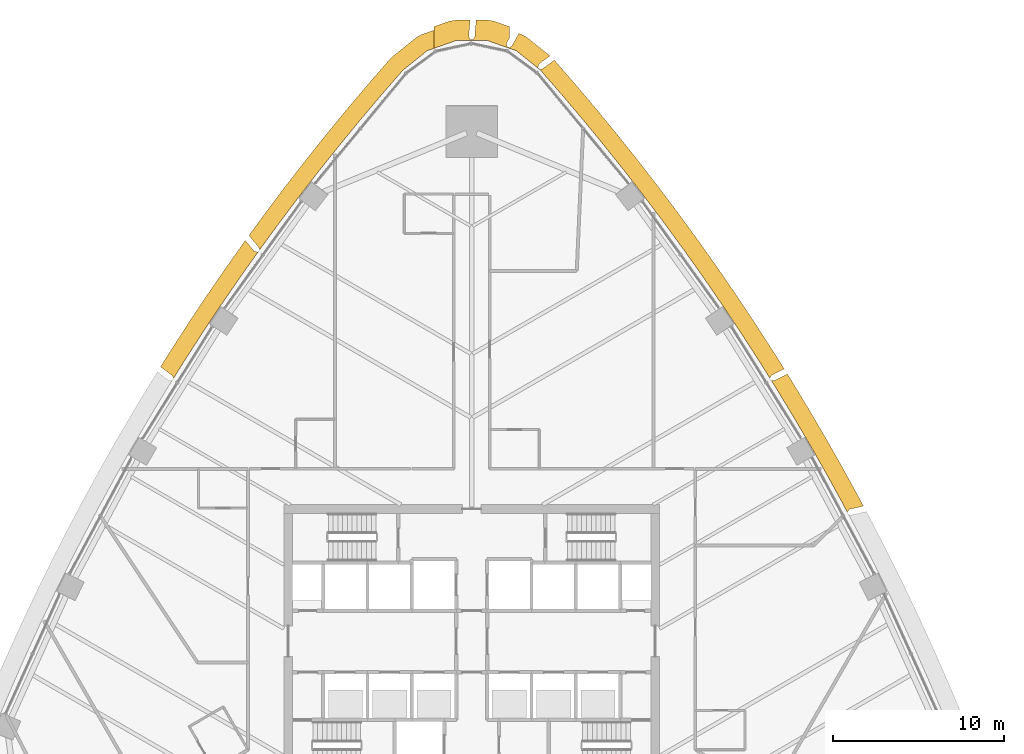
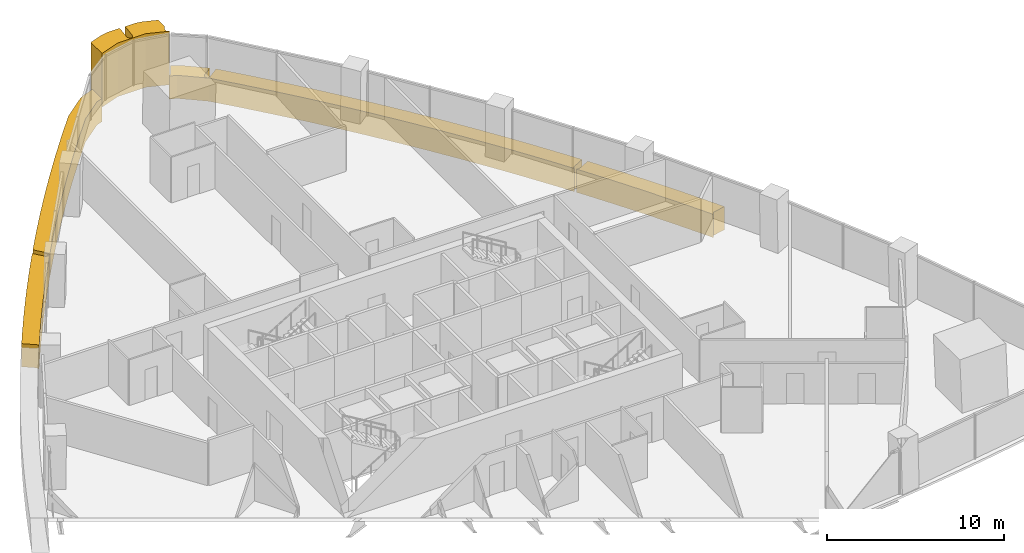
# One storey, part 16 of 17: 5 coverings.
"""IFC4 building model written with IfcOpenShell, lengths in metres."""

from ifc_helpers import new_model, si_unit, direction, frame, origin, place, context, subcontext, project, spatial, polyline, outline, extrude, material, layer, layer_set, type_object, element, save


model = new_model("IFC4")

# Units and contexts
model_context = context("Model", 3, precision=1e-05, world=origin(), true_north=direction((0.0, 1.0)))
body_context = subcontext(model_context, "Body", "Model", "MODEL_VIEW")
ifc_project = project(units=[si_unit("LENGTHUNIT", "METRE"), si_unit("AREAUNIT", "SQUARE_METRE"), si_unit("VOLUMEUNIT", "CUBIC_METRE"), si_unit("PLANEANGLEUNIT", "RADIAN"), si_unit("MASSUNIT", "GRAM", prefix="KILO")], contexts=[model_context])

# Site, building, storey
site_placement = place(None, origin())
site = spatial("IfcSite", under=ifc_project, at=site_placement, CompositionType="ELEMENT")
building_placement = place(site_placement, origin())
building = spatial("IfcBuilding", under=site, at=building_placement, Name="Sierra Prisma Convention Tower", CompositionType="ELEMENT")
storey_placement = place(building_placement, frame((0.0, 0.0, 92.39990234375)))
storey = spatial("IfcBuildingStorey", under=building, at=storey_placement, Name="L19", CompositionType="ELEMENT", Elevation=92.39990234375)

# Coverings
ifc_material_1 = material(Name="Aluminium composite bronze anodised", Category="aluminium")
ifc_layer_1 = layer(ifc_material_1, 1.199951171875)
ifc_layer_set_1 = layer_set([ifc_layer_1], Name="Bronze corner pier")
covering_type_1 = type_object("IfcCoveringType", Name="Bronze corner pier", PredefinedType="CLADDING", material=ifc_layer_set_1)
covering_1_placement = place(storey_placement, frame((0.0, 0.0, -0.599853515625)))
element("IfcCovering", 1, at=covering_1_placement, inside=storey, type_object=covering_type_1, Name="Corner pier N L19.1", PredefinedType="CLADDING", context=body_context, shape_type="SweptSolid", body=[
    extrude(outline(polyline([(2.041259765625, 35.028564453125), (2.040283203125, 35.02392578125), (2.0400390625, 35.019287109375), (2.0400390625, 35.0146484375), (2.040283203125, 35.010009765625), (2.062255859375, 34.852294921875), (2.06298828125, 34.847412109375), (2.064453125, 34.842529296875), (2.06640625, 34.837890625), (2.068603515625, 34.83349609375), (2.071533203125, 34.829345703125), (2.07470703125, 34.825439453125), (2.078125, 34.822021484375), (2.08203125, 34.81884765625), (2.086181640625, 34.816162109375), (2.090576171875, 34.813720703125), (2.09521484375, 34.811767578125), (2.189453125, 34.778564453125), (2.1943359375, 34.777099609375), (2.199462890625, 34.776123046875), (2.199951171875, 34.776123046875), (2.199951171875, 34.727294921875), (0.906494140625, 35.18359375), (-0.906494140625, 35.18359375), (-2.199951171875, 34.727294921875), (-2.199951171875, 36.0), (-1.3056640625, 36.3154296875), (-0.906494140625, 36.3837890625), (-0.090087890625, 36.3837890625), (-0.17431640625, 35.421142578125), (-0.174560546875, 35.416015625), (-0.17431640625, 35.4111328125), (-0.17333984375, 35.406005859375), (-0.172119140625, 35.401123046875), (-0.170166015625, 35.396484375), (-0.16796875, 35.39208984375), (-0.093505859375, 35.26123046875), (-0.0908203125, 35.257080078125), (-0.087890625, 35.25341796875), (-0.084716796875, 35.25), (-0.0810546875, 35.24658203125), (-0.0771484375, 35.243896484375), (-0.072998046875, 35.241455078125), (-0.068603515625, 35.239501953125), (-0.064208984375, 35.23779296875), (-0.0595703125, 35.23681640625), (-0.0546875, 35.236083984375), (-0.050048828125, 35.23583984375), (0.050048828125, 35.23583984375), (0.054931640625, 35.236083984375), (0.059814453125, 35.23681640625), (0.064453125, 35.238037109375), (0.06884765625, 35.239501953125), (0.0732421875, 35.24169921875), (0.077392578125, 35.244140625), (0.081298828125, 35.2470703125), (0.085205078125, 35.250244140625), (0.08837890625, 35.25390625), (0.09130859375, 35.2578125), (0.165771484375, 35.36669921875), (0.16845703125, 35.37109375), (0.170654296875, 35.375732421875), (0.17236328125, 35.380615234375), (0.173583984375, 35.385498046875), (0.17431640625, 35.390625), (0.26123046875, 36.3837890625), (0.906494140625, 36.3837890625), (1.3056640625, 36.3154296875), (2.199951171875, 36.0), (2.199951171875, 35.313720703125), (2.04638671875, 35.04150390625), (2.044189453125, 35.037353515625), (2.04248046875, 35.032958984375), (2.041259765625, 35.028564453125)])), origin(), (0.0, 0.0, 1.0), 3.699951171875),
])
ifc_material_2 = material(Name="Aluminium composite bronze anodised", Category="aluminium")
ifc_layer_2 = layer(ifc_material_2, 1.0)
ifc_layer_set_2 = layer_set([ifc_layer_2], Name="Bronze spandrel band")
covering_type_2 = type_object("IfcCoveringType", Name="Bronze spandrel band", PredefinedType="CLADDING", material=ifc_layer_set_2)
covering_2_placement = place(storey_placement, frame((0.0, 0.0, -1.599853515625)))
element("IfcCovering", 2, at=covering_2_placement, inside=storey, type_object=covering_type_2, Name="Spandrel band L19.4", PredefinedType="CLADDING", context=body_context, shape_type="SweptSolid", body=[
    extrude(outline(polyline([(-12.718994140625, 22.833251953125), (-12.71435546875, 22.83154296875), (-12.70947265625, 22.83056640625), (-12.544189453125, 22.80029296875), (-12.53955078125, 22.799560546875), (-12.534912109375, 22.79931640625), (-12.5302734375, 22.799560546875), (-12.525390625, 22.80029296875), (-12.52099609375, 22.801513671875), (-12.516357421875, 22.802978515625), (-12.51220703125, 22.804931640625), (-12.508056640625, 22.807373046875), (-12.504150390625, 22.810302734375), (-12.503173828125, 22.811279296875), (-13.6005859375, 21.26123046875), (-14.697998046875, 19.6640625), (-14.716552734375, 19.635986328125), (-14.718505859375, 19.63427734375), (-14.721923828125, 19.630615234375), (-14.724853515625, 19.626708984375), (-15.392578125, 18.629638671875), (-15.39501953125, 18.62548828125), (-15.397216796875, 18.62109375), (-15.398681640625, 18.61669921875), (-15.39990234375, 18.61181640625), (-15.400390625, 18.60986328125), (-15.772216796875, 18.051513671875), (-16.823486328125, 16.423583984375), (-17.466552734375, 15.396240234375), (-17.466064453125, 15.400634765625), (-17.466064453125, 15.405517578125), (-17.46630859375, 15.410400390625), (-17.467041015625, 15.4150390625), (-17.468505859375, 15.419921875), (-17.47021484375, 15.42431640625), (-17.523193359375, 15.54541015625), (-17.525390625, 15.550048828125), (-17.528076171875, 15.55419921875), (-17.53125, 15.558349609375), (-17.534912109375, 15.56201171875), (-17.538818359375, 15.565185546875), (-18.21923828125, 16.07861328125), (-17.67138671875, 16.9541015625), (-17.663818359375, 16.96630859375), (-16.6123046875, 18.593994140625), (-16.6044921875, 18.60595703125), (-15.5302734375, 20.218505859375), (-15.522216796875, 20.230224609375), (-14.425048828125, 21.827392578125), (-14.416748046875, 21.839111328125), (-13.297119140625, 23.42041015625), (-13.28857421875, 23.431884765625), (-13.25830078125, 23.473388671875), (-12.739013671875, 22.84765625), (-12.735595703125, 22.843994140625), (-12.73193359375, 22.8408203125), (-12.727783203125, 22.837890625), (-12.7236328125, 22.835205078125), (-12.718994140625, 22.833251953125)])), origin(), (0.0, 0.0, 1.0), 1.599853515625),
])
covering_3_placement = place(storey_placement, frame((0.0, 0.0, -1.599853515625)))
element("IfcCovering", 3, at=covering_3_placement, inside=storey, type_object=covering_type_2, Name="Spandrel band L19.5", PredefinedType="CLADDING", context=body_context, shape_type="SweptSolid", body=[
    extrude(outline(polyline([(-2.2099609375, 34.723876953125), (-2.615966796875, 34.580810546875), (-4.027587890625, 33.443359375), (-5.29931640625, 31.981201171875), (-6.550048828125, 30.501220703125), (-7.779541015625, 29.003662109375), (-8.98779296875, 27.48876953125), (-9.398681640625, 26.9580078125), (-9.400146484375, 26.957275390625), (-9.404296875, 26.95458984375), (-9.408203125, 26.95166015625), (-9.41162109375, 26.947998046875), (-9.414794921875, 26.9443359375), (-10.147216796875, 25.993896484375), (-10.14990234375, 25.989990234375), (-10.15234375, 25.98583984375), (-10.153564453125, 25.983154296875), (-10.174072265625, 25.95654296875), (-11.338623046875, 24.40771484375), (-12.433349609375, 22.90771484375), (-12.431884765625, 22.91064453125), (-12.429931640625, 22.915283203125), (-12.4287109375, 22.920166015625), (-12.427978515625, 22.9248046875), (-12.427490234375, 22.929931640625), (-12.427734375, 22.934814453125), (-12.42822265625, 22.939697265625), (-12.429443359375, 22.944580078125), (-12.460205078125, 23.052978515625), (-12.461669921875, 23.057861328125), (-12.4638671875, 23.0625), (-12.466552734375, 23.067138671875), (-12.4697265625, 23.0712890625), (-13.045654296875, 23.764892578125), (-12.146484375, 24.997314453125), (-12.137939453125, 25.0087890625), (-10.973388671875, 26.5576171875), (-10.96484375, 26.56884765625), (-9.7783203125, 28.100830078125), (-9.76953125, 28.112060546875), (-8.5615234375, 29.627197265625), (-8.552490234375, 29.63818359375), (-7.322998046875, 31.135986328125), (-7.313720703125, 31.146728515625), (-6.06298828125, 32.626708984375), (-6.0537109375, 32.6376953125), (-4.781982421875, 34.099609375), (-4.655029296875, 34.22216796875), (-3.243408203125, 35.359375), (-2.948486328125, 35.523681640625), (-2.2099609375, 35.7841796875), (-2.2099609375, 34.723876953125)])), origin(), (0.0, 0.0, 1.0), 1.599853515625),
])
covering_4_placement = place(storey_placement, frame((0.0, 0.0, -1.599853515625)))
element("IfcCovering", 4, at=covering_4_placement, inside=storey, type_object=covering_type_2, Name="Spandrel band L19.6", PredefinedType="CLADDING", context=body_context, shape_type="SweptSolid", body=[
    extrude(outline(polyline([(2.948486328125, 35.523681640625), (3.243408203125, 35.359375), (4.582763671875, 34.2802734375), (3.946044921875, 33.8154296875), (3.942138671875, 33.812255859375), (3.938720703125, 33.808837890625), (3.935302734375, 33.804931640625), (3.9326171875, 33.80078125), (3.930419921875, 33.79638671875), (3.928466796875, 33.791748046875), (3.927001953125, 33.787109375), (3.886474609375, 33.6240234375), (3.885498046875, 33.619384765625), (3.885009765625, 33.61474609375), (3.885009765625, 33.610107421875), (3.885498046875, 33.605224609375), (3.88623046875, 33.6005859375), (3.887451171875, 33.59619140625), (3.889404296875, 33.591552734375), (3.891357421875, 33.58740234375), (3.893798828125, 33.58349609375), (3.896728515625, 33.57958984375), (3.89990234375, 33.576171875), (3.903564453125, 33.572998046875), (3.9814453125, 33.51025390625), (3.9853515625, 33.50732421875), (3.98974609375, 33.5048828125), (3.994140625, 33.502685546875), (3.998779296875, 33.501220703125), (4.003662109375, 33.5), (4.008544921875, 33.49951171875), (4.013671875, 33.499267578125), (4.0185546875, 33.49951171875), (4.0234375, 33.50048828125), (4.133544921875, 33.524169921875), (4.138427734375, 33.525634765625), (4.143310546875, 33.527587890625), (4.14794921875, 33.52978515625), (4.15234375, 33.53271484375), (4.839111328125, 34.0341796875), (6.0537109375, 32.6376953125), (6.06298828125, 32.626708984375), (7.313720703125, 31.146728515625), (7.322998046875, 31.135986328125), (8.552490234375, 29.63818359375), (8.5615234375, 29.627197265625), (9.76953125, 28.112060546875), (9.7783203125, 28.100830078125), (10.96484375, 26.56884765625), (10.973388671875, 26.5576171875), (12.137939453125, 25.0087890625), (12.146484375, 24.997314453125), (13.28857421875, 23.431884765625), (13.297119140625, 23.42041015625), (14.416748046875, 21.839111328125), (14.425048828125, 21.827392578125), (15.522216796875, 20.230224609375), (15.5302734375, 20.218505859375), (16.6044921875, 18.60595703125), (16.6123046875, 18.593994140625), (17.663818359375, 16.96630859375), (17.67138671875, 16.9541015625), (18.29638671875, 15.955078125), (17.564697265625, 15.58154296875), (17.560302734375, 15.5791015625), (17.55615234375, 15.576171875), (17.55224609375, 15.57275390625), (17.548828125, 15.569091796875), (17.5458984375, 15.565185546875), (17.543212890625, 15.560791015625), (17.471923828125, 15.427978515625), (17.4697265625, 15.423828125), (17.468017578125, 15.419189453125), (17.466796875, 15.414794921875), (17.46630859375, 15.409912109375), (17.4658203125, 15.4052734375), (17.466064453125, 15.400390625), (17.466552734375, 15.396484375), (16.823486328125, 16.423583984375), (15.772216796875, 18.051513671875), (15.400390625, 18.60986328125), (15.39990234375, 18.61181640625), (15.398681640625, 18.61669921875), (15.397216796875, 18.62109375), (15.39501953125, 18.62548828125), (15.392578125, 18.629638671875), (14.724853515625, 19.626708984375), (14.721923828125, 19.630615234375), (14.718505859375, 19.63427734375), (14.716552734375, 19.635986328125), (14.697998046875, 19.6640625), (13.6005859375, 21.26123046875), (12.48095703125, 22.842529296875), (11.338623046875, 24.40771484375), (10.174072265625, 25.95654296875), (10.153564453125, 25.983154296875), (10.15234375, 25.98583984375), (10.14990234375, 25.989990234375), (10.147216796875, 25.993896484375), (9.414794921875, 26.9443359375), (9.41162109375, 26.947998046875), (9.408203125, 26.95166015625), (9.404296875, 26.95458984375), (9.400146484375, 26.957275390625), (9.398681640625, 26.9580078125), (8.98779296875, 27.48876953125), (7.779541015625, 29.003662109375), (6.550048828125, 30.501220703125), (5.29931640625, 31.981201171875), (4.027587890625, 33.443359375), (2.615966796875, 34.580810546875), (2.2099609375, 34.723876953125), (2.2099609375, 34.77587890625), (2.21484375, 34.776611328125), (2.219970703125, 34.777587890625), (2.224853515625, 34.779296875), (2.2294921875, 34.781494140625), (2.23388671875, 34.7841796875), (2.335693359375, 34.8525390625), (2.33935546875, 34.85546875), (2.3427734375, 34.8583984375), (2.345947265625, 34.86181640625), (2.3486328125, 34.865478515625), (2.351318359375, 34.869384765625), (2.75830078125, 35.5908203125), (2.948486328125, 35.523681640625)])), origin(), (0.0, 0.0, 1.0), 1.599853515625),
])
covering_5_placement = place(storey_placement, frame((0.0, 0.0, -1.599853515625)))
element("IfcCovering", 5, at=covering_5_placement, inside=storey, type_object=covering_type_2, Name="Spandrel band L19.7", PredefinedType="CLADDING", context=body_context, shape_type="SweptSolid", body=[
    extrude(outline(polyline([(22.0068359375, 7.577392578125), (22.0048828125, 7.5732421875), (22.00341796875, 7.568603515625), (22.00244140625, 7.56396484375), (22.001708984375, 7.559326171875), (22.001708984375, 7.5546875), (22.001953125, 7.55078125), (21.7265625, 8.0693359375), (20.793701171875, 9.767822265625), (20.143310546875, 10.913330078125), (20.143310546875, 10.914794921875), (20.142333984375, 10.919677734375), (20.14111328125, 10.92431640625), (20.13916015625, 10.928955078125), (20.136962890625, 10.933349609375), (19.536865234375, 11.972412109375), (19.5341796875, 11.9765625), (19.53125, 11.98046875), (19.52783203125, 11.98388671875), (19.524169921875, 11.9873046875), (19.52294921875, 11.988037109375), (18.856201171875, 13.1240234375), (17.8515625, 14.781005859375), (17.5400390625, 15.27880859375), (17.543701171875, 15.2763671875), (17.548095703125, 15.274169921875), (17.552734375, 15.2724609375), (17.557373046875, 15.27099609375), (17.56201171875, 15.27001953125), (17.56689453125, 15.269775390625), (17.698974609375, 15.264404296875), (17.7041015625, 15.264404296875), (17.708984375, 15.264892578125), (17.714111328125, 15.26611328125), (17.718994140625, 15.267578125), (17.7236328125, 15.269775390625), (18.48291015625, 15.6572265625), (18.69921875, 15.3115234375), (18.706787109375, 15.299560546875), (19.711181640625, 13.642333984375), (19.718505859375, 13.630126953125), (20.699462890625, 11.958984375), (20.70654296875, 11.94677734375), (21.663330078125, 10.26171875), (21.67041015625, 10.249267578125), (22.60302734375, 8.55078125), (22.60986328125, 8.538330078125), (22.9375, 7.921142578125), (22.141845703125, 7.738037109375), (22.13720703125, 7.736572265625), (22.13232421875, 7.73486328125), (22.1279296875, 7.732421875), (22.123779296875, 7.729736328125), (22.119873046875, 7.726806640625), (22.116455078125, 7.723388671875), (22.11328125, 7.719482421875), (22.01171875, 7.58544921875), (22.009033203125, 7.58154296875), (22.0068359375, 7.577392578125)])), origin(), (0.0, 0.0, 1.0), 1.599853515625),
])

save(model, "model.ifc")
